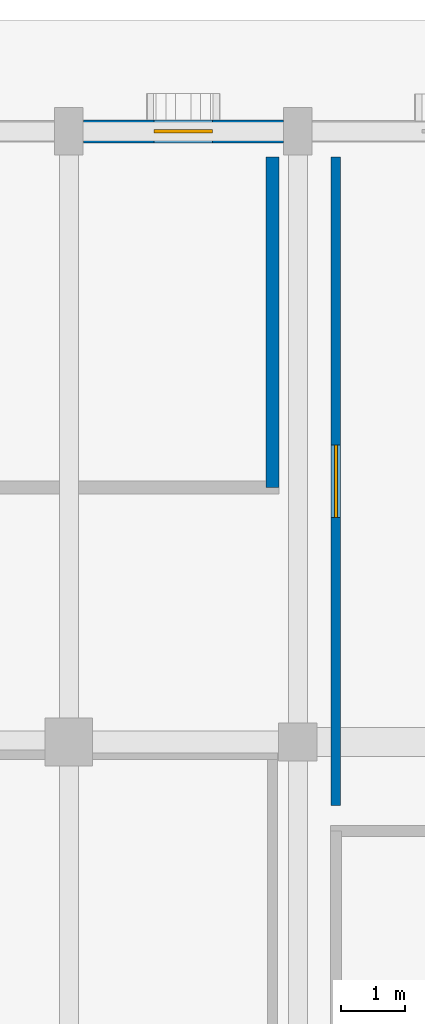
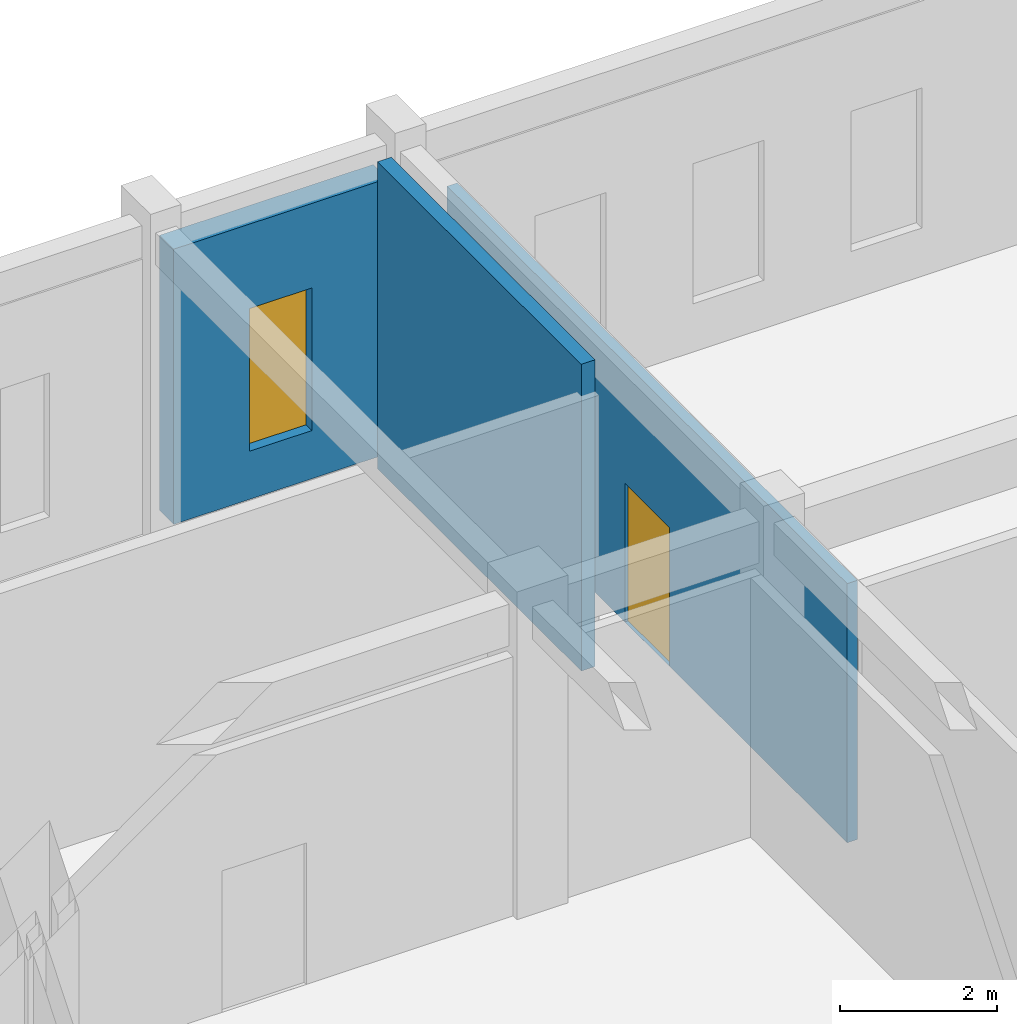
# One storey, part 41 of 72: 3 walls, 1 door, 1 window, 2 openings.
"""IFC4 building model written with IfcOpenShell, lengths in metres."""

from ifc_helpers import new_model, si_unit, direction, frame, frame_2d, origin, place, context, subcontext, project, spatial, rectangle, extrude, material, layer, layer_set, type_object, element, fill, save


model = new_model("IFC4")

# Units and contexts
model_context = context("Model", 3, precision=1e-05, world=origin(), true_north=direction((0.0, 1.0)))
body_context = subcontext(model_context, "Body", "Model", "MODEL_VIEW")
ifc_project = project(units=[si_unit("LENGTHUNIT", "METRE"), si_unit("AREAUNIT", "SQUARE_METRE"), si_unit("VOLUMEUNIT", "CUBIC_METRE"), si_unit("PLANEANGLEUNIT", "RADIAN"), si_unit("MASSUNIT", "GRAM", prefix="KILO")], contexts=[model_context])

# Site, building, storey
site_placement = place(None, origin())
site = spatial("IfcSite", under=ifc_project, at=site_placement, CompositionType="ELEMENT")
building_placement = place(site_placement, origin())
building = spatial("IfcBuilding", under=site, at=building_placement, Name="Nzembalo Square Collegiate School", CompositionType="ELEMENT")
storey_placement = place(building_placement, origin())
storey = spatial("IfcBuildingStorey", under=building, at=storey_placement, Name="L00", CompositionType="ELEMENT", Elevation=0.0)

# Wall, opening, window
ifc_material_1 = material(Name="Concrete C35/45", Category="concrete")
ifc_layer_1 = layer(ifc_material_1, 0.360107421875, Name="Concrete C35/45")
ifc_layer_set_1 = layer_set([ifc_layer_1], Name="Concrete C35/45")
wall_type_1 = type_object("IfcWallType", Name="W01", PredefinedType="SOLIDWALL", material=ifc_layer_set_1)
wall_1_placement = place(storey_placement, frame((127.427001953125, 114.0, 0.0), z_axis=(0.0, 0.0, 1.0), x_axis=(1.0, 0.0, 0.0)))
wall_1 = element("IfcWall", 1, at=wall_1_placement, inside=storey, type_object=wall_type_1, Name="Exterior wall W01 L00", PredefinedType="SOLIDWALL", context=body_context, shape_type="SweptSolid", body=[
    extrude(rectangle(XDim=3.14599609375, YDim=0.360107421875, at=frame_2d((1.572998046875, 0.0))), origin(), (0.0, 0.0, 1.0), 4.283935546875),
])
opening_1_placement = place(wall_1_placement, frame((1.113037109375, 0.0, 0.75)))
opening_1 = element("IfcOpeningElement", 2, at=opening_1_placement, cuts=wall_1, Name="Opening WN-L00-142", PredefinedType="OPENING", context=body_context, shape_type="SweptSolid", body=[
    extrude(rectangle(XDim=0.919921875, YDim=2.219970703125, at=frame_2d((0.4599609375, 1.10986328125))), frame((0.0, 0.18994140625, 0.0), z_axis=(0.0, -1.0, 0.0), x_axis=(1.0, 0.0, 0.0)), (0.0, 0.0, 1.0), 0.380126953125),
])
ifc_material_2 = material(Name="Powder-coated aluminium and low-E double glazing", Category="aluminium")
window_type = type_object("IfcWindowType", Name="WN69", PartitioningType="SINGLE_PANEL", PredefinedType="WINDOW", material=ifc_material_2)
window_placement = place(opening_1_placement, origin())
window = element("IfcWindow", 3, at=window_placement, inside=storey, type_object=window_type, Name="Lancet window WN-L00-142", OverallHeight=2.219970703125, OverallWidth=0.919921875, PartitioningType="SINGLE_PANEL", PredefinedType="WINDOW", context=body_context, shape_type="SweptSolid", body=[
    extrude(rectangle(XDim=0.919921875, YDim=2.219970703125, at=frame_2d((0.4599609375, 1.10986328125))), frame((0.0, 0.030029296875, 0.0), z_axis=(0.0, -1.0, 0.0), x_axis=(1.0, 0.0, 0.0)), (0.0, 0.0, 1.0), 0.06005859375),
])
fill(opening_1, window)

# Wall, opening, door
ifc_material_3 = material(Name="Acoustic double-board stud")
ifc_layer_2 = layer(ifc_material_3, 0.14990234375, Name="Acoustic double-board stud")
ifc_layer_set_2 = layer_set([ifc_layer_2], Name="Acoustic double-board stud")
wall_type_2 = type_object("IfcWallType", Name="W17", PredefinedType="PARTITIONING", material=ifc_layer_set_2)
wall_2_placement = place(storey_placement, frame((131.39990234375, 103.39990234375, 0.0), z_axis=(0.0, 0.0, 1.0), x_axis=(0.0, 1.0, 0.0)))
wall_2 = element("IfcWall", 4, at=wall_2_placement, inside=storey, type_object=wall_type_2, Name="Interior partition W17 L00-053-W", PredefinedType="PARTITIONING", context=body_context, shape_type="SweptSolid", body=[
    extrude(rectangle(XDim=10.2001953125, YDim=0.14990234375, at=frame_2d((5.10009765625, 0.0))), origin(), (0.0, 0.0, 1.0), 4.033935546875),
])
opening_2_placement = place(wall_2_placement, frame((4.530029296875, 0.0, 0.0)))
opening_2 = element("IfcOpeningElement", 5, at=opening_2_placement, cuts=wall_2, Name="Opening D-L00-031", PredefinedType="OPENING", context=body_context, shape_type="SweptSolid", body=[
    extrude(rectangle(XDim=1.139892578125, YDim=2.159912109375, at=frame_2d((0.56982421875, 1.080078125))), frame((0.0, 0.0849609375, 0.0), z_axis=(0.0, -1.0, 0.0), x_axis=(1.0, 0.0, 0.0)), (0.0, 0.0, 1.0), 0.169921875),
])
ifc_material_4 = material(Name="Wide clinical stretcher leaf door")
door_type = type_object("IfcDoorType", Name="D12", OperationType="NOTDEFINED", PredefinedType="DOOR", material=ifc_material_4)
door_placement = place(opening_2_placement, origin())
door = element("IfcDoor", 6, at=door_placement, inside=storey, type_object=door_type, Name="Interior door D-L00-031 (Medical Sick Bay and Treatment Clinic)", OperationType="SINGLE_SWING_RIGHT", OverallHeight=2.159912109375, OverallWidth=1.139892578125, PredefinedType="DOOR", context=body_context, shape_type="SweptSolid", body=[
    extrude(rectangle(XDim=1.139892578125, YDim=2.159912109375, at=frame_2d((0.56982421875, 1.080078125))), frame((0.0, 0.02490234375, 0.0), z_axis=(0.0, -1.0, 0.0), x_axis=(1.0, 0.0, 0.0)), (0.0, 0.0, 1.0), 0.050048828125),
])
fill(opening_2, door)

# Wall
ifc_material_5 = material(Name="Concrete blockwork C25/30", Category="masonry")
ifc_layer_3 = layer(ifc_material_5, 0.205078125, Name="Concrete blockwork C25/30")
ifc_layer_set_3 = layer_set([ifc_layer_3], Name="Concrete blockwork C25/30")
wall_type_3 = type_object("IfcWallType", Name="W21", PredefinedType="PARTITIONING", material=ifc_layer_set_3)
wall_3_placement = place(storey_placement, frame((130.39990234375, 108.39990234375, 0.0), z_axis=(0.0, 0.0, 1.0), x_axis=(0.0, 1.0, 0.0)))
element("IfcWall", 7, at=wall_3_placement, inside=storey, type_object=wall_type_3, Name="Interior partition W21 L00-043-E", PredefinedType="PARTITIONING", context=body_context, shape_type="SweptSolid", body=[
    extrude(rectangle(XDim=5.2001953125, YDim=0.205078125, at=frame_2d((2.60009765625, 0.0))), origin(), (0.0, 0.0, 1.0), 4.77392578125),
])

save(model, "model.ifc")
